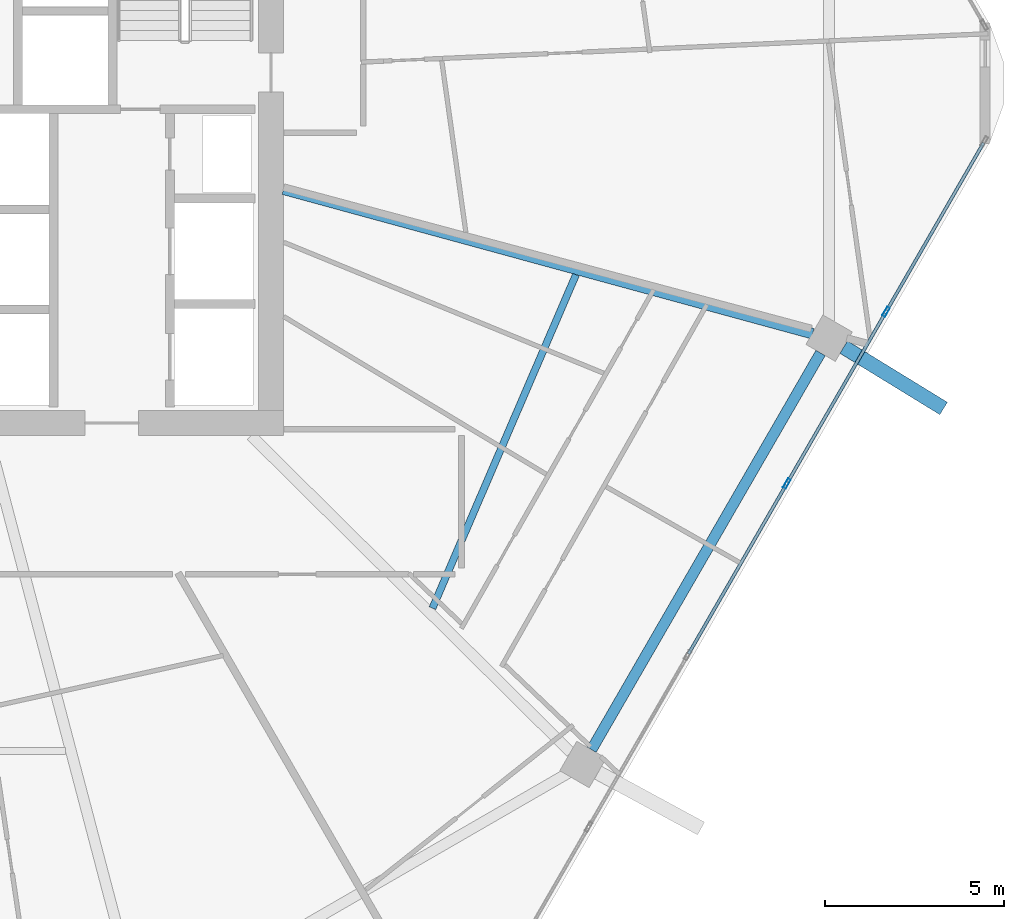
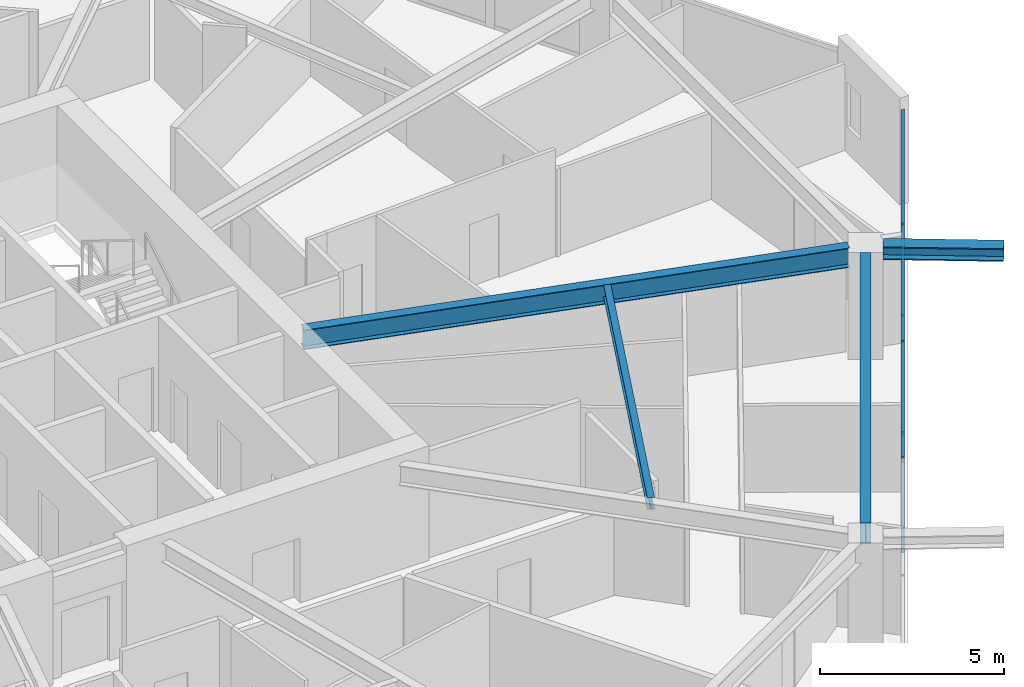
# One storey, part 9 of 25: 8 members, 4 beams, 1 element without a shape of its own.
"""IFC4 building model written with IfcOpenShell, lengths in metres."""

from ifc_helpers import new_model, si_unit, direction, frame, origin, origin_2d, place, context, subcontext, project, spatial, hollow_rectangle, i_section, extrude, material, material_profile, profile_set, type_object, element, aggregate, save


model = new_model("IFC4")

# Units and contexts
model_context = context("Model", 3, precision=1e-05, world=origin(), true_north=direction((0.0, 1.0)))
body_context = subcontext(model_context, "Body", "Model", "MODEL_VIEW")
ifc_project = project(units=[si_unit("LENGTHUNIT", "METRE"), si_unit("AREAUNIT", "SQUARE_METRE"), si_unit("VOLUMEUNIT", "CUBIC_METRE"), si_unit("PLANEANGLEUNIT", "RADIAN"), si_unit("MASSUNIT", "GRAM", prefix="KILO")], contexts=[model_context])

# Site, building, storey
site_placement = place(None, origin())
site = spatial("IfcSite", under=ifc_project, at=site_placement, CompositionType="ELEMENT")
building_placement = place(site_placement, origin())
building = spatial("IfcBuilding", under=site, at=building_placement, Name="Zuhravey Tower", CompositionType="ELEMENT")
storey_placement = place(building_placement, frame((0.0, 0.0, 196.0)))
storey = spatial("IfcBuildingStorey", under=building, at=storey_placement, Name="L49", CompositionType="ELEMENT", Elevation=196.0)

# Curtain wall, members
ifc_material_1 = material(Name="Thermally broken anodised aluminium", Category="aluminium")
curtain_wall_type = type_object("IfcCurtainWallType", Name="Zone 1-2 Residential Curtain Wall CW3", PredefinedType="NOTDEFINED", material=ifc_material_1)
curtain_wall_placement = place(storey_placement, origin())
curtain_wall = element("IfcCurtainWall", 1, at=curtain_wall_placement, inside=storey, type_object=curtain_wall_type, Name="L49 CW3 CW-L49-F6-1", PredefinedType="NOTDEFINED")
ifc_material_2 = material(Name="Anodised aluminium", Category="aluminium")
ifc_material_profile_1 = material_profile(ifc_material_2, hollow_rectangle(XDim=0.090087890625, YDim=0.284912109375, WallThickness=0.0048828125, at=origin_2d()), Name="ALU-RHS-90x285x5")
ifc_profile_set_1 = profile_set([ifc_material_profile_1], Name="Anodised aluminium")
member_type_1 = type_object("IfcMemberType", Name="Curtain-Wall Mullion 90x180", PredefinedType="MULLION", material=ifc_profile_set_1)
member_1_placement = place(storey_placement, frame((63.699462890625, 25.61083984375, 0.0), z_axis=(0.0, 0.0, 1.0), x_axis=(0.866025138215, -0.500000459979, 0.0)))
member_1 = element("IfcMember", 2, at=member_1_placement, type_object=member_type_1, Name="CW3 mullion 2", PredefinedType="MULLION", context=body_context, shape_type="SweptSolid", body=[
    extrude(hollow_rectangle(XDim=0.090087890625, YDim=0.284912109375, WallThickness=0.0048828125, at=origin_2d()), origin(), (0.0, 0.0, 1.0), 3.1220703125),
])
member_2_placement = place(storey_placement, frame((60.92724609375, 20.809326171875, 0.0), z_axis=(0.0, 0.0, 1.0), x_axis=(0.866025138215, -0.500000459979, 0.0)))
member_2 = element("IfcMember", 3, at=member_2_placement, type_object=member_type_1, Name="CW3 mullion 3", PredefinedType="MULLION", context=body_context, shape_type="SweptSolid", body=[
    extrude(hollow_rectangle(XDim=0.090087890625, YDim=0.284912109375, WallThickness=0.0048828125, at=origin_2d()), origin(), (0.0, 0.0, 1.0), 3.1220703125),
])
ifc_material_profile_2 = material_profile(ifc_material_2, hollow_rectangle(XDim=0.090087890625, YDim=0.14990234375, WallThickness=0.0048828125, at=origin_2d()), Name="ALU-RHS-90x150x5")
ifc_profile_set_2 = profile_set([ifc_material_profile_2], Name="Anodised aluminium")
member_type_2 = type_object("IfcMemberType", Name="Curtain-Wall Transom 90x150", PredefinedType="USERDEFINED", material=ifc_profile_set_2)
member_3_placement = place(storey_placement, frame((66.4267578125, 30.33447265625, 0.044921875), z_axis=(-0.499993332629, -0.866029253159, 0.0), x_axis=(0.866029253159, -0.499993332629, 0.0)))
member_3 = element("IfcMember", 4, at=member_3_placement, type_object=member_type_2, Name="CW3 transom 1.1", ObjectType="TRANSOM", PredefinedType="USERDEFINED", context=body_context, shape_type="SweptSolid", body=[
    extrude(hollow_rectangle(XDim=0.090087890625, YDim=0.14990234375, WallThickness=0.0048828125, at=origin_2d()), origin(), (0.0, 0.0, 1.0), 5.4091796875),
])
member_4_placement = place(storey_placement, frame((66.4267578125, 30.33447265625, 3.076904296875), z_axis=(-0.499993332629, -0.866029253159, 0.0), x_axis=(0.866029253159, -0.499993332629, 0.0)))
member_4 = element("IfcMember", 5, at=member_4_placement, type_object=member_type_2, Name="CW3 transom 1.2", ObjectType="TRANSOM", PredefinedType="USERDEFINED", context=body_context, shape_type="SweptSolid", body=[
    extrude(hollow_rectangle(XDim=0.090087890625, YDim=0.14990234375, WallThickness=0.0048828125, at=origin_2d()), origin(), (0.0, 0.0, 1.0), 5.4091796875),
])
member_5_placement = place(storey_placement, frame((63.677001953125, 25.572021484375, 0.044921875), z_axis=(-0.49996138257, -0.86604769842, 0.0), x_axis=(0.86604769842, -0.49996138257, 0.0)))
member_5 = element("IfcMember", 6, at=member_5_placement, type_object=member_type_2, Name="CW3 transom 2.1", ObjectType="TRANSOM", PredefinedType="USERDEFINED", context=body_context, shape_type="SweptSolid", body=[
    extrude(hollow_rectangle(XDim=0.090087890625, YDim=0.14990234375, WallThickness=0.0048828125, at=origin_2d()), origin(), (0.0, 0.0, 1.0), 5.45458984375),
])
member_6_placement = place(storey_placement, frame((63.677001953125, 25.572021484375, 3.076904296875), z_axis=(-0.49996138257, -0.86604769842, 0.0), x_axis=(0.86604769842, -0.49996138257, 0.0)))
member_6 = element("IfcMember", 7, at=member_6_placement, type_object=member_type_2, Name="CW3 transom 2.2", ObjectType="TRANSOM", PredefinedType="USERDEFINED", context=body_context, shape_type="SweptSolid", body=[
    extrude(hollow_rectangle(XDim=0.090087890625, YDim=0.14990234375, WallThickness=0.0048828125, at=origin_2d()), origin(), (0.0, 0.0, 1.0), 5.45458984375),
])
member_7_placement = place(storey_placement, frame((60.90478515625, 20.770263671875, 0.044921875), z_axis=(-0.499980763544, -0.866036509673, 0.0), x_axis=(0.866036509673, -0.499980763544, 0.0)))
member_7 = element("IfcMember", 8, at=member_7_placement, type_object=member_type_2, Name="CW3 transom 3.1", ObjectType="TRANSOM", PredefinedType="USERDEFINED", context=body_context, shape_type="SweptSolid", body=[
    extrude(hollow_rectangle(XDim=0.090087890625, YDim=0.14990234375, WallThickness=0.0048828125, at=origin_2d()), origin(), (0.0, 0.0, 1.0), 5.454345703125),
])
member_8_placement = place(storey_placement, frame((60.90478515625, 20.770263671875, 3.076904296875), z_axis=(-0.499980763544, -0.866036509673, 0.0), x_axis=(0.866036509673, -0.499980763544, 0.0)))
member_8 = element("IfcMember", 9, at=member_8_placement, type_object=member_type_2, Name="CW3 transom 3.2", ObjectType="TRANSOM", PredefinedType="USERDEFINED", context=body_context, shape_type="SweptSolid", body=[
    extrude(hollow_rectangle(XDim=0.090087890625, YDim=0.14990234375, WallThickness=0.0048828125, at=origin_2d()), origin(), (0.0, 0.0, 1.0), 5.454345703125),
])
aggregate(curtain_wall, [member_1, member_2, member_3, member_4, member_5, member_6, member_7, member_8])

# Beams
ifc_material_3 = material(Name="Steel SM460", Category="steel")
ifc_material_profile_3 = material_profile(ifc_material_3, i_section(OverallWidth=0.406982421875, OverallDepth=0.427978515625, WebThickness=0.02001953125, FlangeThickness=0.034912109375, at=origin_2d()), Name="H-428x407x20x35")
ifc_profile_set_3 = profile_set([ifc_material_profile_3], Name="Steel SM460")
beam_type_1 = type_object("IfcBeamType", Name="Exoskeleton Node Tie Beam H428x407", PredefinedType="BEAM", material=ifc_profile_set_3)
beam_1_placement = place(storey_placement, frame((62.51611328125, 24.622802734375, 3.3359375), z_axis=(0.852309897732, -0.52303712892, 0.0), x_axis=(0.52303712892, 0.852309897732, 0.0)))
element("IfcBeam", 10, at=beam_1_placement, inside=storey, type_object=beam_type_1, Name="L49 Exoskeleton Node Tie NT1-12", PredefinedType="BEAM", context=body_context, shape_type="SweptSolid", body=[
    extrude(i_section(OverallWidth=0.406982421875, OverallDepth=0.427978515625, WebThickness=0.02001953125, FlangeThickness=0.034912109375, at=origin_2d()), origin(), (0.0, 0.0, 1.0), 3.27734375),
])
ifc_material_4 = material(Name="Steel SM355", Category="steel")
ifc_material_profile_4 = material_profile(ifc_material_4, i_section(OverallWidth=0.300048828125, OverallDepth=0.679931640625, WebThickness=0.012939453125, FlangeThickness=0.02197265625, at=origin_2d()), Name="H-680x300x13x22")
ifc_profile_set_4 = profile_set([ifc_material_profile_4], Name="Steel SM355")
beam_type_2 = type_object("IfcBeamType", Name="Perimeter Ring Beam H680x300", PredefinedType="BEAM", material=ifc_profile_set_4)
beam_2_placement = place(storey_placement, frame((55.464599609375, 13.367431640625, 3.2099609375), z_axis=(0.500003505699, 0.866023379758, 0.0), x_axis=(-0.866023379758, 0.500003505699, 0.0)))
element("IfcBeam", 11, at=beam_2_placement, inside=storey, type_object=beam_type_2, Name="L49 PB2 BM-L49-PB-11", PredefinedType="BEAM", context=body_context, shape_type="SweptSolid", body=[
    extrude(i_section(OverallWidth=0.300048828125, OverallDepth=0.679931640625, WebThickness=0.012939453125, FlangeThickness=0.02197265625, at=origin_2d()), origin(), (0.0, 0.0, 1.0), 12.80810546875),
])
ifc_material_profile_5 = material_profile(ifc_material_4, i_section(OverallWidth=0.300048828125, OverallDepth=0.64990234375, WebThickness=0.012939453125, FlangeThickness=0.02197265625, at=origin_2d()), Name="H-650x300x13x22")
ifc_profile_set_5 = profile_set([ifc_material_profile_5], Name="Steel SM355")
beam_type_3 = type_object("IfcBeamType", Name="Radial Primary Girder H650x300", PredefinedType="BEAM", material=ifc_profile_set_5)
beam_3_placement = place(storey_placement, frame((46.85302734375, 29.03759765625, 3.22509765625), z_axis=(0.964701703464, -0.263345065139, 0.0), x_axis=(0.263345065139, 0.964701703464, 0.0)))
element("IfcBeam", 12, at=beam_3_placement, inside=storey, type_object=beam_type_3, Name="L49 RG2 BM-L49-RAD-12", PredefinedType="BEAM", context=body_context, shape_type="SweptSolid", body=[
    extrude(i_section(OverallWidth=0.300048828125, OverallDepth=0.64990234375, WebThickness=0.012939453125, FlangeThickness=0.02197265625, at=origin_2d()), origin(), (0.0, 0.0, 1.0), 15.334716796875),
])
ifc_material_profile_6 = material_profile(ifc_material_4, i_section(OverallWidth=0.199951171875, OverallDepth=0.39990234375, WebThickness=0.008056640625, FlangeThickness=0.012939453125, at=origin_2d()), Name="H-400x200x8x13")
ifc_profile_set_6 = profile_set([ifc_material_profile_6], Name="Steel SM355")
beam_type_4 = type_object("IfcBeamType", Name="Secondary Floor Joist H400x200", PredefinedType="JOIST", material=ifc_profile_set_6)
beam_4_placement = place(storey_placement, frame((51.017578125, 17.323974609375, 3.35009765625), z_axis=(0.395265853487, 0.918566766799, 0.0), x_axis=(-0.918566766799, 0.395265853487, 0.0)))
element("IfcBeam", 13, at=beam_4_placement, inside=storey, type_object=beam_type_4, Name="L49 SJ2 BM-L49-SJ-11-1", PredefinedType="JOIST", context=body_context, shape_type="SweptSolid", body=[
    extrude(i_section(OverallWidth=0.199951171875, OverallDepth=0.39990234375, WebThickness=0.008056640625, FlangeThickness=0.012939453125, at=origin_2d()), origin(), (0.0, 0.0, 1.0), 10.150146484375),
])

save(model, "model.ifc")
